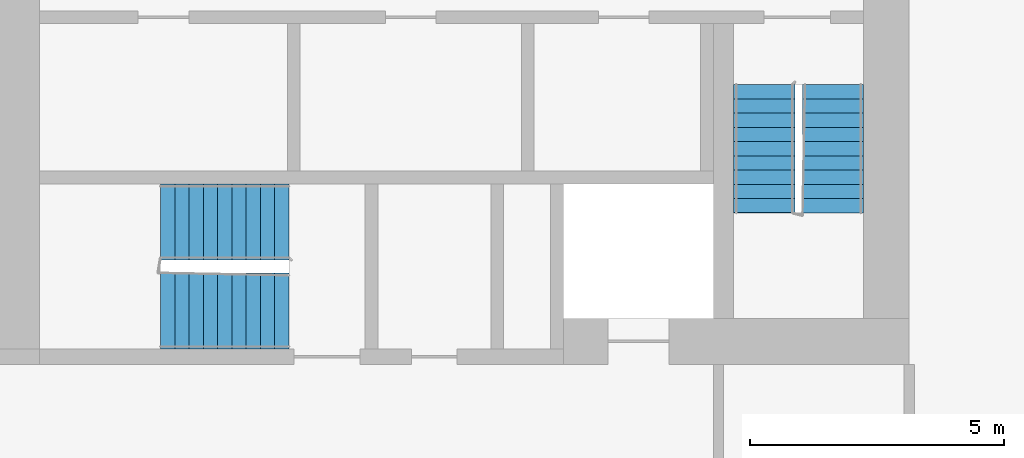
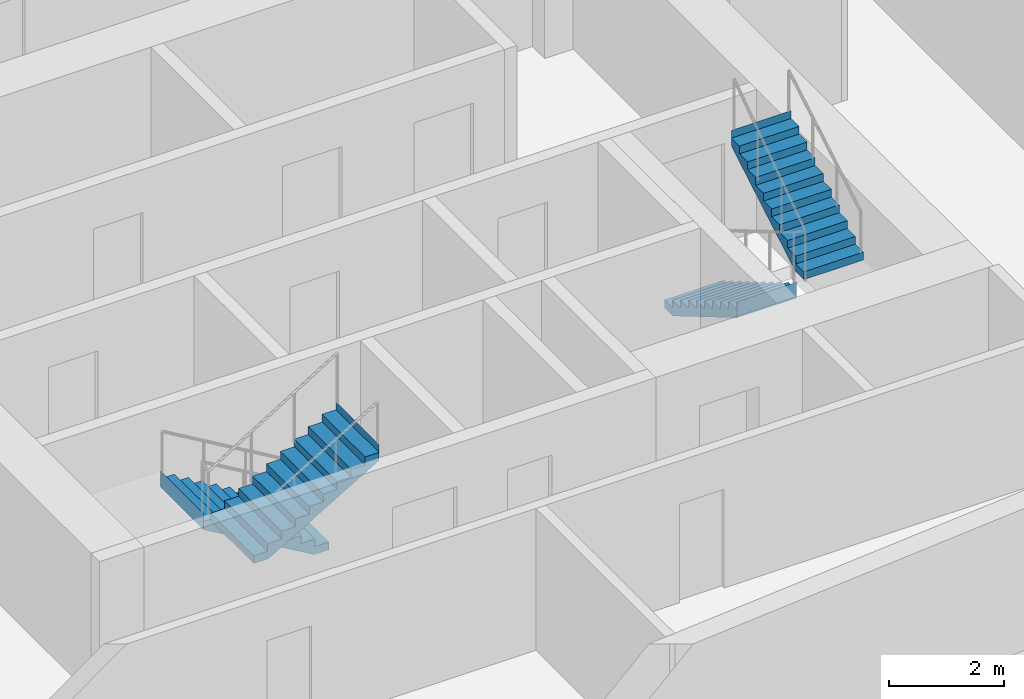
# One storey, part 8 of 11: 4 stair flights, 2 elements without a shape of their own.
"""IFC4 building model written with IfcOpenShell, lengths in metres."""

import ifcopenshell
import ifcopenshell.guid

model = None  # the IFC model being written
_history = None  # IfcOwnerHistory: only IFC2X3 demands one
_inside = {}  # id of a spatial element -> (the spatial element, [elements in it])
_under = {}  # id of a project, library or spatial element -> (it, [spatial elements below it])
_declared = {}  # id of a project -> (the project, [libraries it declares])
_typed = {}  # id of a type object -> (the type object, [elements of that type])
_made_of = {}  # id of a material, layer set ... -> (it, [elements and type objects made of it])


def new_model(schema):
    """Start an empty IFC model of exactly this schema.

    Asked for "IFC4X3", IfcOpenShell would pick the latest addendum, in which some entities
    have other attributes; the version numbers below select the first issue.
    IFC2X3 requires an IfcOwnerHistory on every rooted entity: one is made here for all.
    """
    global model, _history
    if schema == "IFC4X3":
        model = ifcopenshell.file(schema_version=(4, 3, 0, 0))
    else:
        model = ifcopenshell.file(schema=schema)
    _inside.clear()
    _under.clear()
    _declared.clear()
    _typed.clear()
    _made_of.clear()
    _history = None
    if model.schema == "IFC2X3":
        org = make("IfcOrganization", Name="unknown")
        user = make(
            "IfcPersonAndOrganization",
            ThePerson=make("IfcPerson", FamilyName="unknown"),
            TheOrganization=org,
        )
        app = make(
            "IfcApplication",
            ApplicationDeveloper=org,
            Version="unknown",
            ApplicationFullName="unknown",
            ApplicationIdentifier="unknown",
        )
        _history = make(
            "IfcOwnerHistory",
            OwningUser=user,
            OwningApplication=app,
            ChangeAction="ADDED",
            CreationDate=0,
        )
    return model


def make(cls, **values):
    """One entity of the class cls with the attributes given. An attribute that is None is left unset."""
    return model.create_entity(
        cls, **{name: value for name, value in values.items() if value is not None}
    )


def rooted(cls, **values):
    """An entity with a GlobalId (a new one), such as an element, a storey or a relation."""
    return make(cls, GlobalId=ifcopenshell.guid.new(), OwnerHistory=_history, **values)


def si_unit(unit_type, name, prefix=None):
    """IfcSIUnit, for example si_unit("LENGTHUNIT", "METRE", prefix="MILLI")."""
    return make("IfcSIUnit", UnitType=unit_type, Prefix=prefix, Name=name)


def assignment(units):
    """IfcUnitAssignment: the units of a project."""
    return None if units is None else make("IfcUnitAssignment", Units=units)


def point(xyz):
    """IfcCartesianPoint."""
    return None if xyz is None else make("IfcCartesianPoint", Coordinates=xyz)


def direction(xyz):
    """IfcDirection."""
    return None if xyz is None else make("IfcDirection", DirectionRatios=xyz)


def frame(location, z_axis=None, x_axis=None):
    """IfcAxis2Placement3D, a coordinate frame: its origin and axes. An axis left out is left unset."""
    return make(
        "IfcAxis2Placement3D",
        Location=point(location),
        Axis=direction(z_axis),
        RefDirection=direction(x_axis),
    )


def origin():
    """The frame at (0, 0, 0) with its axes left unset."""
    return frame((0.0, 0.0, 0.0))


def place(relative_to, where):
    """IfcLocalPlacement: puts the frame where relative to a parent placement (None: the world)."""
    return make(
        "IfcLocalPlacement", PlacementRelTo=relative_to, RelativePlacement=where
    )


def context(
    kind, dimensions, precision=None, world=None, true_north=None, identifier=None
):
    """IfcGeometricRepresentationContext, for example the 3D "Model" context."""
    return make(
        "IfcGeometricRepresentationContext",
        ContextIdentifier=identifier,
        ContextType=kind,
        CoordinateSpaceDimension=dimensions,
        Precision=precision,
        WorldCoordinateSystem=world,
        TrueNorth=true_north,
    )


def subcontext(parent, identifier, kind, view, scale=None):
    """IfcGeometricRepresentationSubContext, for example "Body" below "Model"."""
    return make(
        "IfcGeometricRepresentationSubContext",
        ContextIdentifier=identifier,
        ContextType=kind,
        ParentContext=parent,
        TargetScale=scale,
        TargetView=view,
    )


def project(units=None, contexts=None):
    """IfcProject with its units and contexts."""
    return rooted(
        "IfcProject",
        Name="project",
        RepresentationContexts=contexts,
        UnitsInContext=assignment(units),
    )


def spatial(cls, under=None, at=None, **own):
    """A site, building, storey or space (cls), placed at a placement, below another one or the project."""
    s = rooted(cls, ObjectPlacement=at, **own)
    if under is not None:
        _under.setdefault(under.id(), (under, []))[1].append(s)
    return s


def faces_of(points, faces, orient=None, outer=None):
    """IfcFace entities. A face is a list of loops; a loop is a list of indices into points, from 0.

    orient and outer hold one flag for each loop. By default every Orientation is true, the
    first loop of a face is its IfcFaceOuterBound and the others are IfcFaceBound.
    """
    made = []
    for i, loops in enumerate(faces):
        bounds = []
        for j, loop in enumerate(loops):
            is_outer = j == 0 if outer is None else outer[i][j]
            bounds.append(
                make(
                    "IfcFaceOuterBound" if is_outer else "IfcFaceBound",
                    Bound=make("IfcPolyLoop", Polygon=[points[k] for k in loop]),
                    Orientation=True if orient is None else orient[i][j],
                )
            )
        made.append(make("IfcFace", Bounds=bounds))
    return made


def faceted_brep(points, faces, orient=None, outer=None, voids=None):
    """IfcFacetedBrep: a solid bounded by flat faces; with voids (closed shells), ...WithVoids."""
    shared = [point(p) for p in points]
    hull = make("IfcClosedShell", CfsFaces=faces_of(shared, faces, orient, outer))
    if voids is None:
        return make("IfcFacetedBrep", Outer=hull)
    return make(
        "IfcFacetedBrepWithVoids",
        Outer=hull,
        Voids=[
            make(cls, CfsFaces=faces_of(shared, fs, o, b)) for cls, fs, o, b in voids
        ],
    )


def shape(context_of_items, identifier, shape_type, items):
    """IfcShapeRepresentation: the items that make up one representation, for example the "Body"."""
    return make(
        "IfcShapeRepresentation",
        ContextOfItems=context_of_items,
        RepresentationIdentifier=identifier,
        RepresentationType=shape_type,
        Items=items,
    )


def material(Name=None, Category=None):
    """IfcMaterial."""
    return make("IfcMaterial", Name=Name, Category=Category)


def made_of(thing, what):
    """Note that an element or type object is made of a material, layer set ...; save() writes the relation."""
    if what is not None:
        _made_of.setdefault(what.id(), (what, []))[1].append(thing)
    return thing


def type_object(cls, material=None, **own):
    """A type object (cls), such as IfcWallType, which elements share."""
    return made_of(rooted(cls, **own), material)


def element(
    cls,
    number,
    at=None,
    inside=None,
    cuts=None,
    type_object=None,
    material=None,
    context=None,
    identifier="Body",
    shape_type=None,
    held_by="IfcProductDefinitionShape",
    body=None,
    shapes=None,
    **own,
):
    """One element of the class cls, such as IfcWall. Its Tag is "e" and its number.

    at: its placement. inside: the storey or other place that contains it. cuts: it is an
    opening in that element (IfcRelVoidsElement). A single representation is given by context,
    identifier, shape_type and body (its items); several are given by shapes. held_by: the class
    of the entity that holds the representations. save() writes the other relations.
    """
    e = rooted(cls, Tag="e%d" % number, ObjectPlacement=at, **own)
    if body is not None:
        shapes = [shape(context, identifier, shape_type, body)]
    if shapes is not None:
        e.Representation = make(held_by, Representations=shapes)
    if inside is not None:
        _inside.setdefault(inside.id(), (inside, []))[1].append(e)
    if cuts is not None:
        rooted(
            "IfcRelVoidsElement", RelatingBuildingElement=cuts, RelatedOpeningElement=e
        )
    if type_object is not None:
        _typed.setdefault(type_object.id(), (type_object, []))[1].append(e)
    return made_of(e, material)


def aggregate(whole, parts):
    """IfcRelAggregates: a whole, such as a stair, and the parts it consists of."""
    return rooted("IfcRelAggregates", RelatingObject=whole, RelatedObjects=parts)


def save(model, path):
    """Write the relations noted so far, then the file.

    IfcRelAggregates (storeys below a building ...), IfcRelContainedInSpatialStructure (elements
    in a storey), IfcRelDefinesByType, IfcRelAssociatesMaterial and IfcRelDeclares: one each for
    every whole, place, type object, material and project.
    """
    for whole, parts in _under.values():
        aggregate(whole, parts)
    for where, things in _inside.values():
        rooted(
            "IfcRelContainedInSpatialStructure",
            RelatedElements=things,
            RelatingStructure=where,
        )
    for kind, things in _typed.values():
        rooted("IfcRelDefinesByType", RelatedObjects=things, RelatingType=kind)
    for what, things in _made_of.values():
        rooted("IfcRelAssociatesMaterial", RelatedObjects=things, RelatingMaterial=what)
    for by, libraries in _declared.values():
        rooted("IfcRelDeclares", RelatingContext=by, RelatedDefinitions=libraries)
    model.write(path)


model = new_model("IFC4")

# Units and contexts
model_context = context("Model", 3, precision=1e-05, world=origin(), true_north=direction((0.0, 1.0)))
body_context = subcontext(model_context, "Body", "Model", "MODEL_VIEW")
ifc_project = project(units=[si_unit("LENGTHUNIT", "METRE"), si_unit("AREAUNIT", "SQUARE_METRE"), si_unit("VOLUMEUNIT", "CUBIC_METRE"), si_unit("PLANEANGLEUNIT", "RADIAN"), si_unit("MASSUNIT", "GRAM", prefix="KILO")], contexts=[model_context])

# Site, building, storey
site_placement = place(None, origin())
site = spatial("IfcSite", under=ifc_project, at=site_placement, CompositionType="ELEMENT")
building_placement = place(site_placement, origin())
building = spatial("IfcBuilding", under=site, at=building_placement, Name="Kajstack Hotel Tower", CompositionType="ELEMENT")
storey_placement = place(building_placement, frame((0.0, 0.0, 281.699951171875)))
storey = spatial("IfcBuildingStorey", under=building, at=storey_placement, Name="L70", CompositionType="ELEMENT", Elevation=281.699951171875)

# Stair, stair flights
ifc_material = material(Name="Concrete C40/50", Category="concrete")
stair_type_1 = type_object("IfcStairType", Name="Exit stair 1200", PredefinedType="HALF_TURN_STAIR", material=ifc_material)
stair_1_placement = place(storey_placement, origin())
stair_1 = element("IfcStair", 1, at=stair_1_placement, inside=storey, type_object=stair_type_1, Name="L70 stair W2", PredefinedType="HALF_TURN_STAIR")
stair_flight_type_1 = type_object("IfcStairFlightType", Name="Exit stair flight 1200", PredefinedType="STRAIGHT", material=ifc_material)
stair_flight_1_placement = place(storey_placement, frame((-16.35009765625, -10.0, 0.0), z_axis=(0.0, 0.0, 1.0), x_axis=(0.0, -1.0, 0.0)))
stair_flight_1 = element("IfcStairFlight", 2, at=stair_flight_1_placement, type_object=stair_flight_type_1, Name="W2 flight 1", NumberOfRisers=10, NumberOfTreads=9, PredefinedType="STRAIGHT", RiserHeight=0.165, TreadLength=0.28, context=body_context, shape_type="Brep", body=[
    faceted_brep([(0.295654296875, -0.60009765625, 0.0), (2.5205078125, -0.60009765625, 1.31103515625), (2.5205078125, -0.60009765625, 1.64990234375), (2.52001953125, -0.60009765625, 1.64990234375), (2.52001953125, -0.60009765625, 1.485107421875), (2.239990234375, -0.60009765625, 1.485107421875), (2.239990234375, -0.60009765625, 1.320068359375), (1.9599609375, -0.60009765625, 1.320068359375), (1.9599609375, -0.60009765625, 1.155029296875), (1.679931640625, -0.60009765625, 1.155029296875), (1.679931640625, -0.60009765625, 0.989990234375), (1.39990234375, -0.60009765625, 0.989990234375), (1.39990234375, -0.60009765625, 0.824951171875), (1.1201171875, -0.60009765625, 0.824951171875), (1.1201171875, -0.60009765625, 0.659912109375), (0.840087890625, -0.60009765625, 0.659912109375), (0.840087890625, -0.60009765625, 0.4951171875), (0.56005859375, -0.60009765625, 0.4951171875), (0.56005859375, -0.60009765625, 0.330078125), (0.280029296875, -0.60009765625, 0.330078125), (0.280029296875, -0.60009765625, 0.1650390625), (-0.00048828125, -0.60009765625, 0.1650390625), (-0.00048828125, -0.60009765625, 0.0), (-0.00048828125, 0.60009765625, 0.0), (-0.00048828125, 0.60009765625, 0.1650390625), (0.280029296875, 0.60009765625, 0.1650390625), (0.280029296875, 0.60009765625, 0.330078125), (0.56005859375, 0.60009765625, 0.330078125), (0.56005859375, 0.60009765625, 0.4951171875), (0.840087890625, 0.60009765625, 0.4951171875), (0.840087890625, 0.60009765625, 0.659912109375), (1.1201171875, 0.60009765625, 0.659912109375), (1.1201171875, 0.60009765625, 0.824951171875), (1.39990234375, 0.60009765625, 0.824951171875), (1.39990234375, 0.60009765625, 0.989990234375), (1.679931640625, 0.60009765625, 0.989990234375), (1.679931640625, 0.60009765625, 1.155029296875), (1.9599609375, 0.60009765625, 1.155029296875), (1.9599609375, 0.60009765625, 1.320068359375), (2.239990234375, 0.60009765625, 1.320068359375), (2.239990234375, 0.60009765625, 1.485107421875), (2.52001953125, 0.60009765625, 1.485107421875), (2.52001953125, 0.60009765625, 1.64990234375), (2.5205078125, 0.60009765625, 1.64990234375), (2.5205078125, 0.60009765625, 1.31103515625), (0.295654296875, 0.60009765625, 0.0), (-0.00048828125, -0.300048828125, 0.1650390625), (-0.00048828125, 0.0, 0.1650390625), (-0.00048828125, 0.300048828125, 0.1650390625), (-0.00048828125, 0.300048828125, 0.0), (-0.00048828125, 0.0, 0.0), (-0.00048828125, -0.300048828125, 0.0), (0.280029296875, -0.300048828125, 0.1650390625), (0.280029296875, 0.0, 0.1650390625), (0.280029296875, 0.300048828125, 0.1650390625), (0.280029296875, -0.300048828125, 0.330078125), (0.280029296875, 0.0, 0.330078125), (0.280029296875, 0.300048828125, 0.330078125), (0.56005859375, -0.300048828125, 0.330078125), (0.56005859375, 0.0, 0.330078125), (0.56005859375, 0.300048828125, 0.330078125), (0.56005859375, -0.300048828125, 0.4951171875), (0.56005859375, 0.0, 0.4951171875), (0.56005859375, 0.300048828125, 0.4951171875), (0.840087890625, -0.300048828125, 0.4951171875), (0.840087890625, 0.0, 0.4951171875), (0.840087890625, 0.300048828125, 0.4951171875), (0.840087890625, -0.300048828125, 0.659912109375), (0.840087890625, 0.0, 0.659912109375), (0.840087890625, 0.300048828125, 0.659912109375), (1.1201171875, -0.300048828125, 0.659912109375), (1.1201171875, 0.0, 0.659912109375), (1.1201171875, 0.300048828125, 0.659912109375), (1.1201171875, -0.300048828125, 0.824951171875), (1.1201171875, 0.0, 0.824951171875), (1.1201171875, 0.300048828125, 0.824951171875), (1.39990234375, -0.300048828125, 0.824951171875), (1.39990234375, 0.0, 0.824951171875), (1.39990234375, 0.300048828125, 0.824951171875), (1.39990234375, -0.300048828125, 0.989990234375), (1.39990234375, 0.0, 0.989990234375), (1.39990234375, 0.300048828125, 0.989990234375), (1.679931640625, -0.300048828125, 0.989990234375), (1.679931640625, 0.0, 0.989990234375), (1.679931640625, 0.300048828125, 0.989990234375), (1.679931640625, -0.300048828125, 1.155029296875), (1.679931640625, 0.0, 1.155029296875), (1.679931640625, 0.300048828125, 1.155029296875), (1.9599609375, -0.300048828125, 1.155029296875), (1.9599609375, 0.0, 1.155029296875), (1.9599609375, 0.300048828125, 1.155029296875), (1.9599609375, -0.300048828125, 1.320068359375), (1.9599609375, 0.0, 1.320068359375), (1.9599609375, 0.300048828125, 1.320068359375), (2.239990234375, -0.300048828125, 1.320068359375), (2.239990234375, 0.0, 1.320068359375), (2.239990234375, 0.300048828125, 1.320068359375), (2.239990234375, -0.300048828125, 1.485107421875), (2.239990234375, 0.0, 1.485107421875), (2.239990234375, 0.300048828125, 1.485107421875), (2.52001953125, -0.300048828125, 1.485107421875), (2.52001953125, 0.0, 1.485107421875), (2.52001953125, 0.300048828125, 1.485107421875), (2.52001953125, -0.300048828125, 1.64990234375), (2.52001953125, 0.0, 1.64990234375), (2.52001953125, 0.300048828125, 1.64990234375), (2.5205078125, -0.300048828125, 1.64990234375), (2.5205078125, 0.0, 1.64990234375), (2.5205078125, 0.300048828125, 1.64990234375), (2.5205078125, -0.300048828125, 1.31103515625), (2.5205078125, 0.0, 1.31103515625), (2.5205078125, 0.300048828125, 1.31103515625), (0.295654296875, -0.300048828125, 0.0), (0.295654296875, 0.0, 0.0), (0.295654296875, 0.300048828125, 0.0)], [[[0, 1, 2, 3, 4, 5, 6, 7, 8, 9, 10, 11, 12, 13, 14, 15, 16, 17, 18, 19, 20, 21, 22]], [[23, 24, 25, 26, 27, 28, 29, 30, 31, 32, 33, 34, 35, 36, 37, 38, 39, 40, 41, 42, 43, 44, 45]], [[21, 46, 47, 48, 24, 23, 49, 50, 51, 22]], [[20, 52, 53, 54, 25, 24, 48, 47, 46, 21]], [[19, 55, 56, 57, 26, 25, 54, 53, 52, 20]], [[18, 58, 59, 60, 27, 26, 57, 56, 55, 19]], [[17, 61, 62, 63, 28, 27, 60, 59, 58, 18]], [[16, 64, 65, 66, 29, 28, 63, 62, 61, 17]], [[15, 67, 68, 69, 30, 29, 66, 65, 64, 16]], [[14, 70, 71, 72, 31, 30, 69, 68, 67, 15]], [[13, 73, 74, 75, 32, 31, 72, 71, 70, 14]], [[12, 76, 77, 78, 33, 32, 75, 74, 73, 13]], [[11, 79, 80, 81, 34, 33, 78, 77, 76, 12]], [[10, 82, 83, 84, 35, 34, 81, 80, 79, 11]], [[9, 85, 86, 87, 36, 35, 84, 83, 82, 10]], [[8, 88, 89, 90, 37, 36, 87, 86, 85, 9]], [[7, 91, 92, 93, 38, 37, 90, 89, 88, 8]], [[6, 94, 95, 96, 39, 38, 93, 92, 91, 7]], [[5, 97, 98, 99, 40, 39, 96, 95, 94, 6]], [[4, 100, 101, 102, 41, 40, 99, 98, 97, 5]], [[3, 103, 104, 105, 42, 41, 102, 101, 100, 4]], [[2, 106, 107, 108, 43, 42, 105, 104, 103, 3]], [[1, 109, 110, 111, 44, 43, 108, 107, 106, 2]], [[0, 112, 113, 114, 45, 44, 111, 110, 109, 1]], [[22, 51, 50, 49, 23, 45, 114, 113, 112, 0]]]),
])
stair_flight_2_placement = place(storey_placement, frame((-15.0, -12.52001953125, 1.650146484375), z_axis=(0.0, 0.0, 1.0), x_axis=(0.0, 1.0, 0.0)))
stair_flight_2 = element("IfcStairFlight", 3, at=stair_flight_2_placement, type_object=stair_flight_type_1, Name="W2 flight 2", NumberOfRisers=10, NumberOfTreads=9, PredefinedType="STRAIGHT", RiserHeight=0.165, TreadLength=0.28, context=body_context, shape_type="Brep", body=[
    faceted_brep([(0.295654296875, -0.60009765625, 0.0), (2.5205078125, -0.60009765625, 1.31103515625), (2.5205078125, -0.60009765625, 1.64990234375), (2.52001953125, -0.60009765625, 1.64990234375), (2.52001953125, -0.60009765625, 1.485107421875), (2.239990234375, -0.60009765625, 1.485107421875), (2.239990234375, -0.60009765625, 1.320068359375), (1.9599609375, -0.60009765625, 1.320068359375), (1.9599609375, -0.60009765625, 1.155029296875), (1.679931640625, -0.60009765625, 1.155029296875), (1.679931640625, -0.60009765625, 0.989990234375), (1.39990234375, -0.60009765625, 0.989990234375), (1.39990234375, -0.60009765625, 0.824951171875), (1.1201171875, -0.60009765625, 0.824951171875), (1.1201171875, -0.60009765625, 0.659912109375), (0.840087890625, -0.60009765625, 0.659912109375), (0.840087890625, -0.60009765625, 0.4951171875), (0.56005859375, -0.60009765625, 0.4951171875), (0.56005859375, -0.60009765625, 0.330078125), (0.280029296875, -0.60009765625, 0.330078125), (0.280029296875, -0.60009765625, 0.1650390625), (-0.00048828125, -0.60009765625, 0.1650390625), (-0.00048828125, -0.60009765625, 0.0), (-0.00048828125, 0.60009765625, 0.0), (-0.00048828125, 0.60009765625, 0.1650390625), (0.280029296875, 0.60009765625, 0.1650390625), (0.280029296875, 0.60009765625, 0.330078125), (0.56005859375, 0.60009765625, 0.330078125), (0.56005859375, 0.60009765625, 0.4951171875), (0.840087890625, 0.60009765625, 0.4951171875), (0.840087890625, 0.60009765625, 0.659912109375), (1.1201171875, 0.60009765625, 0.659912109375), (1.1201171875, 0.60009765625, 0.824951171875), (1.39990234375, 0.60009765625, 0.824951171875), (1.39990234375, 0.60009765625, 0.989990234375), (1.679931640625, 0.60009765625, 0.989990234375), (1.679931640625, 0.60009765625, 1.155029296875), (1.9599609375, 0.60009765625, 1.155029296875), (1.9599609375, 0.60009765625, 1.320068359375), (2.239990234375, 0.60009765625, 1.320068359375), (2.239990234375, 0.60009765625, 1.485107421875), (2.52001953125, 0.60009765625, 1.485107421875), (2.52001953125, 0.60009765625, 1.64990234375), (2.5205078125, 0.60009765625, 1.64990234375), (2.5205078125, 0.60009765625, 1.31103515625), (0.295654296875, 0.60009765625, 0.0), (-0.00048828125, -0.300048828125, 0.1650390625), (-0.00048828125, 0.0, 0.1650390625), (-0.00048828125, 0.300048828125, 0.1650390625), (-0.00048828125, 0.300048828125, 0.0), (-0.00048828125, 0.0, 0.0), (-0.00048828125, -0.300048828125, 0.0), (0.280029296875, -0.300048828125, 0.1650390625), (0.280029296875, 0.0, 0.1650390625), (0.280029296875, 0.300048828125, 0.1650390625), (0.280029296875, -0.300048828125, 0.330078125), (0.280029296875, 0.0, 0.330078125), (0.280029296875, 0.300048828125, 0.330078125), (0.56005859375, -0.300048828125, 0.330078125), (0.56005859375, 0.0, 0.330078125), (0.56005859375, 0.300048828125, 0.330078125), (0.56005859375, -0.300048828125, 0.4951171875), (0.56005859375, 0.0, 0.4951171875), (0.56005859375, 0.300048828125, 0.4951171875), (0.840087890625, -0.300048828125, 0.4951171875), (0.840087890625, 0.0, 0.4951171875), (0.840087890625, 0.300048828125, 0.4951171875), (0.840087890625, -0.300048828125, 0.659912109375), (0.840087890625, 0.0, 0.659912109375), (0.840087890625, 0.300048828125, 0.659912109375), (1.1201171875, -0.300048828125, 0.659912109375), (1.1201171875, 0.0, 0.659912109375), (1.1201171875, 0.300048828125, 0.659912109375), (1.1201171875, -0.300048828125, 0.824951171875), (1.1201171875, 0.0, 0.824951171875), (1.1201171875, 0.300048828125, 0.824951171875), (1.39990234375, -0.300048828125, 0.824951171875), (1.39990234375, 0.0, 0.824951171875), (1.39990234375, 0.300048828125, 0.824951171875), (1.39990234375, -0.300048828125, 0.989990234375), (1.39990234375, 0.0, 0.989990234375), (1.39990234375, 0.300048828125, 0.989990234375), (1.679931640625, -0.300048828125, 0.989990234375), (1.679931640625, 0.0, 0.989990234375), (1.679931640625, 0.300048828125, 0.989990234375), (1.679931640625, -0.300048828125, 1.155029296875), (1.679931640625, 0.0, 1.155029296875), (1.679931640625, 0.300048828125, 1.155029296875), (1.9599609375, -0.300048828125, 1.155029296875), (1.9599609375, 0.0, 1.155029296875), (1.9599609375, 0.300048828125, 1.155029296875), (1.9599609375, -0.300048828125, 1.320068359375), (1.9599609375, 0.0, 1.320068359375), (1.9599609375, 0.300048828125, 1.320068359375), (2.239990234375, -0.300048828125, 1.320068359375), (2.239990234375, 0.0, 1.320068359375), (2.239990234375, 0.300048828125, 1.320068359375), (2.239990234375, -0.300048828125, 1.485107421875), (2.239990234375, 0.0, 1.485107421875), (2.239990234375, 0.300048828125, 1.485107421875), (2.52001953125, -0.300048828125, 1.485107421875), (2.52001953125, 0.0, 1.485107421875), (2.52001953125, 0.300048828125, 1.485107421875), (2.52001953125, -0.300048828125, 1.64990234375), (2.52001953125, 0.0, 1.64990234375), (2.52001953125, 0.300048828125, 1.64990234375), (2.5205078125, -0.300048828125, 1.64990234375), (2.5205078125, 0.0, 1.64990234375), (2.5205078125, 0.300048828125, 1.64990234375), (2.5205078125, -0.300048828125, 1.31103515625), (2.5205078125, 0.0, 1.31103515625), (2.5205078125, 0.300048828125, 1.31103515625), (0.295654296875, -0.300048828125, 0.0), (0.295654296875, 0.0, 0.0), (0.295654296875, 0.300048828125, 0.0)], [[[0, 1, 2, 3, 4, 5, 6, 7, 8, 9, 10, 11, 12, 13, 14, 15, 16, 17, 18, 19, 20, 21, 22]], [[23, 24, 25, 26, 27, 28, 29, 30, 31, 32, 33, 34, 35, 36, 37, 38, 39, 40, 41, 42, 43, 44, 45]], [[21, 46, 47, 48, 24, 23, 49, 50, 51, 22]], [[20, 52, 53, 54, 25, 24, 48, 47, 46, 21]], [[19, 55, 56, 57, 26, 25, 54, 53, 52, 20]], [[18, 58, 59, 60, 27, 26, 57, 56, 55, 19]], [[17, 61, 62, 63, 28, 27, 60, 59, 58, 18]], [[16, 64, 65, 66, 29, 28, 63, 62, 61, 17]], [[15, 67, 68, 69, 30, 29, 66, 65, 64, 16]], [[14, 70, 71, 72, 31, 30, 69, 68, 67, 15]], [[13, 73, 74, 75, 32, 31, 72, 71, 70, 14]], [[12, 76, 77, 78, 33, 32, 75, 74, 73, 13]], [[11, 79, 80, 81, 34, 33, 78, 77, 76, 12]], [[10, 82, 83, 84, 35, 34, 81, 80, 79, 11]], [[9, 85, 86, 87, 36, 35, 84, 83, 82, 10]], [[8, 88, 89, 90, 37, 36, 87, 86, 85, 9]], [[7, 91, 92, 93, 38, 37, 90, 89, 88, 8]], [[6, 94, 95, 96, 39, 38, 93, 92, 91, 7]], [[5, 97, 98, 99, 40, 39, 96, 95, 94, 6]], [[4, 100, 101, 102, 41, 40, 99, 98, 97, 5]], [[3, 103, 104, 105, 42, 41, 102, 101, 100, 4]], [[2, 106, 107, 108, 43, 42, 105, 104, 103, 3]], [[1, 109, 110, 111, 44, 43, 108, 107, 106, 2]], [[0, 112, 113, 114, 45, 44, 111, 110, 109, 1]], [[22, 51, 50, 49, 23, 45, 114, 113, 112, 0]]]),
])
aggregate(stair_1, [stair_flight_1, stair_flight_2])

stair_type_2 = type_object("IfcStairType", Name="Exit stair 1500", PredefinedType="HALF_TURN_STAIR", material=ifc_material)
stair_2_placement = place(storey_placement, origin())
stair_2 = element("IfcStair", 4, at=stair_2_placement, inside=storey, type_object=stair_type_2, Name="L70 stair W3", PredefinedType="HALF_TURN_STAIR")
stair_flight_type_2 = type_object("IfcStairFlightType", Name="Exit stair flight 1500", PredefinedType="STRAIGHT", material=ifc_material)
stair_flight_3_placement = place(storey_placement, frame((-25.699951171875, -12.699951171875, 0.0), z_axis=(0.0, 0.0, 1.0), x_axis=(-1.0, 0.0, 0.0)))
stair_flight_3 = element("IfcStairFlight", 5, at=stair_flight_3_placement, type_object=stair_flight_type_2, Name="W3 flight 1", NumberOfRisers=10, NumberOfTreads=9, PredefinedType="STRAIGHT", RiserHeight=0.165, TreadLength=0.28, context=body_context, shape_type="Brep", body=[
    faceted_brep([(0.295654296875, -0.75, 0.0), (2.5205078125, -0.75, 1.31103515625), (2.5205078125, -0.75, 1.64990234375), (2.52001953125, -0.75, 1.64990234375), (2.52001953125, -0.75, 1.485107421875), (2.239990234375, -0.75, 1.485107421875), (2.239990234375, -0.75, 1.320068359375), (1.9599609375, -0.75, 1.320068359375), (1.9599609375, -0.75, 1.155029296875), (1.679931640625, -0.75, 1.155029296875), (1.679931640625, -0.75, 0.989990234375), (1.39990234375, -0.75, 0.989990234375), (1.39990234375, -0.75, 0.824951171875), (1.1201171875, -0.75, 0.824951171875), (1.1201171875, -0.75, 0.659912109375), (0.840087890625, -0.75, 0.659912109375), (0.840087890625, -0.75, 0.4951171875), (0.56005859375, -0.75, 0.4951171875), (0.56005859375, -0.75, 0.330078125), (0.280029296875, -0.75, 0.330078125), (0.280029296875, -0.75, 0.1650390625), (-0.00048828125, -0.75, 0.1650390625), (-0.00048828125, -0.75, 0.0), (-0.00048828125, 0.75, 0.0), (-0.00048828125, 0.75, 0.1650390625), (0.280029296875, 0.75, 0.1650390625), (0.280029296875, 0.75, 0.330078125), (0.56005859375, 0.75, 0.330078125), (0.56005859375, 0.75, 0.4951171875), (0.840087890625, 0.75, 0.4951171875), (0.840087890625, 0.75, 0.659912109375), (1.1201171875, 0.75, 0.659912109375), (1.1201171875, 0.75, 0.824951171875), (1.39990234375, 0.75, 0.824951171875), (1.39990234375, 0.75, 0.989990234375), (1.679931640625, 0.75, 0.989990234375), (1.679931640625, 0.75, 1.155029296875), (1.9599609375, 0.75, 1.155029296875), (1.9599609375, 0.75, 1.320068359375), (2.239990234375, 0.75, 1.320068359375), (2.239990234375, 0.75, 1.485107421875), (2.52001953125, 0.75, 1.485107421875), (2.52001953125, 0.75, 1.64990234375), (2.5205078125, 0.75, 1.64990234375), (2.5205078125, 0.75, 1.31103515625), (0.295654296875, 0.75, 0.0), (-0.00048828125, -0.375, 0.1650390625), (-0.00048828125, 0.0, 0.1650390625), (-0.00048828125, 0.375, 0.1650390625), (-0.00048828125, 0.375, 0.0), (-0.00048828125, 0.0, 0.0), (-0.00048828125, -0.375, 0.0), (0.280029296875, -0.375, 0.1650390625), (0.280029296875, 0.0, 0.1650390625), (0.280029296875, 0.375, 0.1650390625), (0.280029296875, -0.375, 0.330078125), (0.280029296875, 0.0, 0.330078125), (0.280029296875, 0.375, 0.330078125), (0.56005859375, -0.375, 0.330078125), (0.56005859375, 0.0, 0.330078125), (0.56005859375, 0.375, 0.330078125), (0.56005859375, -0.375, 0.4951171875), (0.56005859375, 0.0, 0.4951171875), (0.56005859375, 0.375, 0.4951171875), (0.840087890625, -0.375, 0.4951171875), (0.840087890625, 0.0, 0.4951171875), (0.840087890625, 0.375, 0.4951171875), (0.840087890625, -0.375, 0.659912109375), (0.840087890625, 0.0, 0.659912109375), (0.840087890625, 0.375, 0.659912109375), (1.1201171875, -0.375, 0.659912109375), (1.1201171875, 0.0, 0.659912109375), (1.1201171875, 0.375, 0.659912109375), (1.1201171875, -0.375, 0.824951171875), (1.1201171875, 0.0, 0.824951171875), (1.1201171875, 0.375, 0.824951171875), (1.39990234375, -0.375, 0.824951171875), (1.39990234375, 0.0, 0.824951171875), (1.39990234375, 0.375, 0.824951171875), (1.39990234375, -0.375, 0.989990234375), (1.39990234375, 0.0, 0.989990234375), (1.39990234375, 0.375, 0.989990234375), (1.679931640625, -0.375, 0.989990234375), (1.679931640625, 0.0, 0.989990234375), (1.679931640625, 0.375, 0.989990234375), (1.679931640625, -0.375, 1.155029296875), (1.679931640625, 0.0, 1.155029296875), (1.679931640625, 0.375, 1.155029296875), (1.9599609375, -0.375, 1.155029296875), (1.9599609375, 0.0, 1.155029296875), (1.9599609375, 0.375, 1.155029296875), (1.9599609375, -0.375, 1.320068359375), (1.9599609375, 0.0, 1.320068359375), (1.9599609375, 0.375, 1.320068359375), (2.239990234375, -0.375, 1.320068359375), (2.239990234375, 0.0, 1.320068359375), (2.239990234375, 0.375, 1.320068359375), (2.239990234375, -0.375, 1.485107421875), (2.239990234375, 0.0, 1.485107421875), (2.239990234375, 0.375, 1.485107421875), (2.52001953125, -0.375, 1.485107421875), (2.52001953125, 0.0, 1.485107421875), (2.52001953125, 0.375, 1.485107421875), (2.52001953125, -0.375, 1.64990234375), (2.52001953125, 0.0, 1.64990234375), (2.52001953125, 0.375, 1.64990234375), (2.5205078125, -0.375, 1.64990234375), (2.5205078125, 0.0, 1.64990234375), (2.5205078125, 0.375, 1.64990234375), (2.5205078125, -0.375, 1.31103515625), (2.5205078125, 0.0, 1.31103515625), (2.5205078125, 0.375, 1.31103515625), (0.295654296875, -0.375, 0.0), (0.295654296875, 0.0, 0.0), (0.295654296875, 0.375, 0.0)], [[[0, 1, 2, 3, 4, 5, 6, 7, 8, 9, 10, 11, 12, 13, 14, 15, 16, 17, 18, 19, 20, 21, 22]], [[23, 24, 25, 26, 27, 28, 29, 30, 31, 32, 33, 34, 35, 36, 37, 38, 39, 40, 41, 42, 43, 44, 45]], [[21, 46, 47, 48, 24, 23, 49, 50, 51, 22]], [[20, 52, 53, 54, 25, 24, 48, 47, 46, 21]], [[19, 55, 56, 57, 26, 25, 54, 53, 52, 20]], [[18, 58, 59, 60, 27, 26, 57, 56, 55, 19]], [[17, 61, 62, 63, 28, 27, 60, 59, 58, 18]], [[16, 64, 65, 66, 29, 28, 63, 62, 61, 17]], [[15, 67, 68, 69, 30, 29, 66, 65, 64, 16]], [[14, 70, 71, 72, 31, 30, 69, 68, 67, 15]], [[13, 73, 74, 75, 32, 31, 72, 71, 70, 14]], [[12, 76, 77, 78, 33, 32, 75, 74, 73, 13]], [[11, 79, 80, 81, 34, 33, 78, 77, 76, 12]], [[10, 82, 83, 84, 35, 34, 81, 80, 79, 11]], [[9, 85, 86, 87, 36, 35, 84, 83, 82, 10]], [[8, 88, 89, 90, 37, 36, 87, 86, 85, 9]], [[7, 91, 92, 93, 38, 37, 90, 89, 88, 8]], [[6, 94, 95, 96, 39, 38, 93, 92, 91, 7]], [[5, 97, 98, 99, 40, 39, 96, 95, 94, 6]], [[4, 100, 101, 102, 41, 40, 99, 98, 97, 5]], [[3, 103, 104, 105, 42, 41, 102, 101, 100, 4]], [[2, 106, 107, 108, 43, 42, 105, 104, 103, 3]], [[1, 109, 110, 111, 44, 43, 108, 107, 106, 2]], [[0, 112, 113, 114, 45, 44, 111, 110, 109, 1]], [[22, 51, 50, 49, 23, 45, 114, 113, 112, 0]]]),
])
stair_flight_4_placement = place(storey_placement, frame((-28.219970703125, -14.449951171875, 1.650146484375), z_axis=(0.0, 0.0, 1.0), x_axis=(1.0, 0.0, 0.0)))
stair_flight_4 = element("IfcStairFlight", 6, at=stair_flight_4_placement, type_object=stair_flight_type_2, Name="W3 flight 2", NumberOfRisers=10, NumberOfTreads=9, PredefinedType="STRAIGHT", RiserHeight=0.165, TreadLength=0.28, context=body_context, shape_type="Brep", body=[
    faceted_brep([(0.295654296875, -0.75, 0.0), (2.5205078125, -0.75, 1.31103515625), (2.5205078125, -0.75, 1.64990234375), (2.52001953125, -0.75, 1.64990234375), (2.52001953125, -0.75, 1.485107421875), (2.239990234375, -0.75, 1.485107421875), (2.239990234375, -0.75, 1.320068359375), (1.9599609375, -0.75, 1.320068359375), (1.9599609375, -0.75, 1.155029296875), (1.679931640625, -0.75, 1.155029296875), (1.679931640625, -0.75, 0.989990234375), (1.39990234375, -0.75, 0.989990234375), (1.39990234375, -0.75, 0.824951171875), (1.1201171875, -0.75, 0.824951171875), (1.1201171875, -0.75, 0.659912109375), (0.840087890625, -0.75, 0.659912109375), (0.840087890625, -0.75, 0.4951171875), (0.56005859375, -0.75, 0.4951171875), (0.56005859375, -0.75, 0.330078125), (0.280029296875, -0.75, 0.330078125), (0.280029296875, -0.75, 0.1650390625), (-0.00048828125, -0.75, 0.1650390625), (-0.00048828125, -0.75, 0.0), (-0.00048828125, 0.75, 0.0), (-0.00048828125, 0.75, 0.1650390625), (0.280029296875, 0.75, 0.1650390625), (0.280029296875, 0.75, 0.330078125), (0.56005859375, 0.75, 0.330078125), (0.56005859375, 0.75, 0.4951171875), (0.840087890625, 0.75, 0.4951171875), (0.840087890625, 0.75, 0.659912109375), (1.1201171875, 0.75, 0.659912109375), (1.1201171875, 0.75, 0.824951171875), (1.39990234375, 0.75, 0.824951171875), (1.39990234375, 0.75, 0.989990234375), (1.679931640625, 0.75, 0.989990234375), (1.679931640625, 0.75, 1.155029296875), (1.9599609375, 0.75, 1.155029296875), (1.9599609375, 0.75, 1.320068359375), (2.239990234375, 0.75, 1.320068359375), (2.239990234375, 0.75, 1.485107421875), (2.52001953125, 0.75, 1.485107421875), (2.52001953125, 0.75, 1.64990234375), (2.5205078125, 0.75, 1.64990234375), (2.5205078125, 0.75, 1.31103515625), (0.295654296875, 0.75, 0.0), (-0.00048828125, -0.375, 0.1650390625), (-0.00048828125, 0.0, 0.1650390625), (-0.00048828125, 0.375, 0.1650390625), (-0.00048828125, 0.375, 0.0), (-0.00048828125, 0.0, 0.0), (-0.00048828125, -0.375, 0.0), (0.280029296875, -0.375, 0.1650390625), (0.280029296875, 0.0, 0.1650390625), (0.280029296875, 0.375, 0.1650390625), (0.280029296875, -0.375, 0.330078125), (0.280029296875, 0.0, 0.330078125), (0.280029296875, 0.375, 0.330078125), (0.56005859375, -0.375, 0.330078125), (0.56005859375, 0.0, 0.330078125), (0.56005859375, 0.375, 0.330078125), (0.56005859375, -0.375, 0.4951171875), (0.56005859375, 0.0, 0.4951171875), (0.56005859375, 0.375, 0.4951171875), (0.840087890625, -0.375, 0.4951171875), (0.840087890625, 0.0, 0.4951171875), (0.840087890625, 0.375, 0.4951171875), (0.840087890625, -0.375, 0.659912109375), (0.840087890625, 0.0, 0.659912109375), (0.840087890625, 0.375, 0.659912109375), (1.1201171875, -0.375, 0.659912109375), (1.1201171875, 0.0, 0.659912109375), (1.1201171875, 0.375, 0.659912109375), (1.1201171875, -0.375, 0.824951171875), (1.1201171875, 0.0, 0.824951171875), (1.1201171875, 0.375, 0.824951171875), (1.39990234375, -0.375, 0.824951171875), (1.39990234375, 0.0, 0.824951171875), (1.39990234375, 0.375, 0.824951171875), (1.39990234375, -0.375, 0.989990234375), (1.39990234375, 0.0, 0.989990234375), (1.39990234375, 0.375, 0.989990234375), (1.679931640625, -0.375, 0.989990234375), (1.679931640625, 0.0, 0.989990234375), (1.679931640625, 0.375, 0.989990234375), (1.679931640625, -0.375, 1.155029296875), (1.679931640625, 0.0, 1.155029296875), (1.679931640625, 0.375, 1.155029296875), (1.9599609375, -0.375, 1.155029296875), (1.9599609375, 0.0, 1.155029296875), (1.9599609375, 0.375, 1.155029296875), (1.9599609375, -0.375, 1.320068359375), (1.9599609375, 0.0, 1.320068359375), (1.9599609375, 0.375, 1.320068359375), (2.239990234375, -0.375, 1.320068359375), (2.239990234375, 0.0, 1.320068359375), (2.239990234375, 0.375, 1.320068359375), (2.239990234375, -0.375, 1.485107421875), (2.239990234375, 0.0, 1.485107421875), (2.239990234375, 0.375, 1.485107421875), (2.52001953125, -0.375, 1.485107421875), (2.52001953125, 0.0, 1.485107421875), (2.52001953125, 0.375, 1.485107421875), (2.52001953125, -0.375, 1.64990234375), (2.52001953125, 0.0, 1.64990234375), (2.52001953125, 0.375, 1.64990234375), (2.5205078125, -0.375, 1.64990234375), (2.5205078125, 0.0, 1.64990234375), (2.5205078125, 0.375, 1.64990234375), (2.5205078125, -0.375, 1.31103515625), (2.5205078125, 0.0, 1.31103515625), (2.5205078125, 0.375, 1.31103515625), (0.295654296875, -0.375, 0.0), (0.295654296875, 0.0, 0.0), (0.295654296875, 0.375, 0.0)], [[[0, 1, 2, 3, 4, 5, 6, 7, 8, 9, 10, 11, 12, 13, 14, 15, 16, 17, 18, 19, 20, 21, 22]], [[23, 24, 25, 26, 27, 28, 29, 30, 31, 32, 33, 34, 35, 36, 37, 38, 39, 40, 41, 42, 43, 44, 45]], [[21, 46, 47, 48, 24, 23, 49, 50, 51, 22]], [[20, 52, 53, 54, 25, 24, 48, 47, 46, 21]], [[19, 55, 56, 57, 26, 25, 54, 53, 52, 20]], [[18, 58, 59, 60, 27, 26, 57, 56, 55, 19]], [[17, 61, 62, 63, 28, 27, 60, 59, 58, 18]], [[16, 64, 65, 66, 29, 28, 63, 62, 61, 17]], [[15, 67, 68, 69, 30, 29, 66, 65, 64, 16]], [[14, 70, 71, 72, 31, 30, 69, 68, 67, 15]], [[13, 73, 74, 75, 32, 31, 72, 71, 70, 14]], [[12, 76, 77, 78, 33, 32, 75, 74, 73, 13]], [[11, 79, 80, 81, 34, 33, 78, 77, 76, 12]], [[10, 82, 83, 84, 35, 34, 81, 80, 79, 11]], [[9, 85, 86, 87, 36, 35, 84, 83, 82, 10]], [[8, 88, 89, 90, 37, 36, 87, 86, 85, 9]], [[7, 91, 92, 93, 38, 37, 90, 89, 88, 8]], [[6, 94, 95, 96, 39, 38, 93, 92, 91, 7]], [[5, 97, 98, 99, 40, 39, 96, 95, 94, 6]], [[4, 100, 101, 102, 41, 40, 99, 98, 97, 5]], [[3, 103, 104, 105, 42, 41, 102, 101, 100, 4]], [[2, 106, 107, 108, 43, 42, 105, 104, 103, 3]], [[1, 109, 110, 111, 44, 43, 108, 107, 106, 2]], [[0, 112, 113, 114, 45, 44, 111, 110, 109, 1]], [[22, 51, 50, 49, 23, 45, 114, 113, 112, 0]]]),
])
aggregate(stair_2, [stair_flight_3, stair_flight_4])

save(model, "model.ifc")
